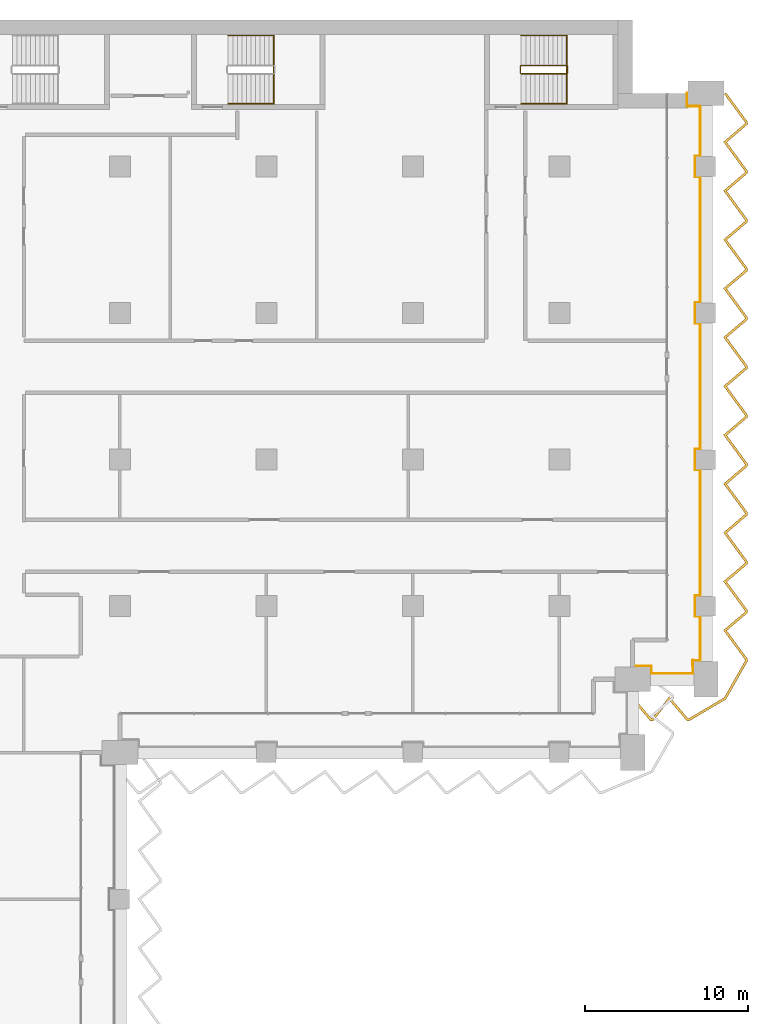
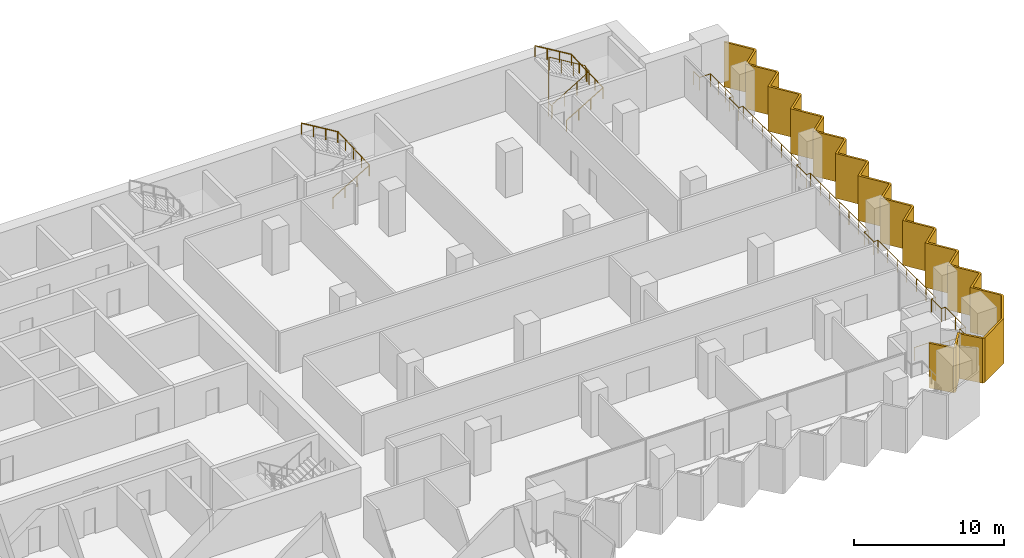
# One storey, part 23 of 23: 4 railings, 1 shading device.
"""IFC4 building model written with IfcOpenShell, lengths in metres."""

from ifc_helpers import new_model, si_unit, direction, frame, origin, origin_2d, place, context, subcontext, project, spatial, polyline, circle, outline, extrude, material, layer, layer_set, type_object, element, save


model = new_model("IFC4")

# Units and contexts
model_context = context("Model", 3, precision=1e-05, world=origin(), true_north=direction((0.0, 1.0)))
body_context = subcontext(model_context, "Body", "Model", "MODEL_VIEW")
ifc_project = project(units=[si_unit("LENGTHUNIT", "METRE"), si_unit("AREAUNIT", "SQUARE_METRE"), si_unit("VOLUMEUNIT", "CUBIC_METRE"), si_unit("PLANEANGLEUNIT", "RADIAN"), si_unit("MASSUNIT", "GRAM", prefix="KILO")], contexts=[model_context])

# Site, building, storey
site_placement = place(None, origin())
site = spatial("IfcSite", under=ifc_project, at=site_placement, CompositionType="ELEMENT")
building_placement = place(site_placement, origin())
building = spatial("IfcBuilding", under=site, at=building_placement, Name="Hunhe Ridgeline Campus", CompositionType="ELEMENT")
storey_placement = place(building_placement, frame((0.0, 0.0, 107.0)))
storey = spatial("IfcBuildingStorey", under=building, at=storey_placement, Name="L26", CompositionType="ELEMENT", Elevation=107.0)

# Railing
ifc_material_1 = material(Name="Steel Q355", Category="steel")
railing_type_1 = type_object("IfcRailingType", Name="Loggia guard 1100 Steel Q355", PredefinedType="GUARDRAIL", material=ifc_material_1)
railing_1_placement = place(storey_placement, frame((76.5, 59.320068359375, 0.0)))
element("IfcRailing", 1, at=railing_1_placement, inside=storey, type_object=railing_type_1, Name="Loggia guard 3", PredefinedType="GUARDRAIL", context=body_context, shape_type="SweptSolid", body=[
    extrude(circle(Radius=0.02392578125, at=origin_2d()), frame((0.0, 0.0, 1.076171875), z_axis=(1.0, 0.0, 0.0), x_axis=(0.0, 1.0, 0.0)), (0.0, 0.0, 1.0), 1.14990234375),
    extrude(circle(Radius=0.02392578125, at=origin_2d()), frame((1.14990234375, 0.0, 1.076171875), z_axis=(0.0, -1.0, 0.0), x_axis=(1.0, 0.0, 0.0)), (0.0, 0.0, 1.0), 0.469970703125),
    extrude(circle(Radius=0.02392578125, at=origin_2d()), frame((1.14990234375, -0.469970703125, 1.076171875), z_axis=(1.0, 0.0, 0.0), x_axis=(0.0, 1.0, 0.0)), (0.0, 0.0, 1.0), 2.550048828125),
    extrude(circle(Radius=0.02392578125, at=origin_2d()), frame((3.699951171875, -0.469970703125, 1.076171875), z_axis=(0.0, 1.0, 0.0), x_axis=(-1.0, 0.0, 0.0)), (0.0, 0.0, 1.0), 0.81982421875),
    extrude(circle(Radius=0.02392578125, at=origin_2d()), frame((3.699951171875, 0.349853515625, 1.076171875), z_axis=(-0.057129153726, -0.99836679622, 0.0), x_axis=(0.99836679622, -0.057129153726, 0.0)), (0.0, 0.0, 1.0), 0.350341796875),
    extrude(circle(Radius=0.02392578125, at=origin_2d()), frame((3.679931640625, 0.0, 1.076171875), z_axis=(0.0, 1.0, 0.0), x_axis=(-1.0, 0.0, 0.0)), (0.0, 0.0, 1.0), 0.329833984375),
    extrude(circle(Radius=0.02392578125, at=origin_2d()), frame((3.679931640625, 0.329833984375, 1.076171875), z_axis=(1.0, 0.0, 0.0), x_axis=(0.0, 1.0, 0.0)), (0.0, 0.0, 1.0), 0.469970703125),
    extrude(circle(Radius=0.02392578125, at=origin_2d()), frame((4.14990234375, 0.329833984375, 1.076171875), z_axis=(0.0, 1.0, 0.0), x_axis=(-1.0, 0.0, 0.0)), (0.0, 0.0, 1.0), 2.7001953125),
    extrude(circle(Radius=0.02392578125, at=origin_2d()), frame((4.14990234375, 3.030029296875, 1.076171875), z_axis=(-1.0, 0.0, 0.0), x_axis=(0.0, -1.0, 0.0)), (0.0, 0.0, 1.0), 0.31982421875),
    extrude(circle(Radius=0.02392578125, at=origin_2d()), frame((3.830078125, 3.030029296875, 1.076171875), z_axis=(0.0, 1.0, 0.0), x_axis=(-1.0, 0.0, 0.0)), (0.0, 0.0, 1.0), 1.2998046875),
    extrude(circle(Radius=0.02392578125, at=origin_2d()), frame((3.830078125, 4.329833984375, 1.076171875), z_axis=(1.0, 0.0, 0.0), x_axis=(0.0, 1.0, 0.0)), (0.0, 0.0, 1.0), 0.31982421875),
    extrude(circle(Radius=0.02392578125, at=origin_2d()), frame((4.14990234375, 4.329833984375, 1.076171875), z_axis=(0.0, 1.0, 0.0), x_axis=(-1.0, 0.0, 0.0)), (0.0, 0.0, 1.0), 7.7001953125),
    extrude(circle(Radius=0.02392578125, at=origin_2d()), frame((4.14990234375, 12.030029296875, 1.076171875), z_axis=(-1.0, 0.0, 0.0), x_axis=(0.0, -1.0, 0.0)), (0.0, 0.0, 1.0), 0.31982421875),
    extrude(circle(Radius=0.02392578125, at=origin_2d()), frame((3.830078125, 12.030029296875, 1.076171875), z_axis=(0.0, 1.0, 0.0), x_axis=(-1.0, 0.0, 0.0)), (0.0, 0.0, 1.0), 1.2998046875),
    extrude(circle(Radius=0.02392578125, at=origin_2d()), frame((3.830078125, 13.329833984375, 1.076171875), z_axis=(1.0, 0.0, 0.0), x_axis=(0.0, 1.0, 0.0)), (0.0, 0.0, 1.0), 0.31982421875),
    extrude(circle(Radius=0.02392578125, at=origin_2d()), frame((4.14990234375, 13.329833984375, 1.076171875), z_axis=(0.0, 1.0, 0.0), x_axis=(-1.0, 0.0, 0.0)), (0.0, 0.0, 1.0), 7.7001953125),
    extrude(circle(Radius=0.02392578125, at=origin_2d()), frame((4.14990234375, 21.030029296875, 1.076171875), z_axis=(-1.0, 0.0, 0.0), x_axis=(0.0, -1.0, 0.0)), (0.0, 0.0, 1.0), 0.31982421875),
    extrude(circle(Radius=0.02392578125, at=origin_2d()), frame((3.830078125, 21.030029296875, 1.076171875), z_axis=(0.0, 1.0, 0.0), x_axis=(-1.0, 0.0, 0.0)), (0.0, 0.0, 1.0), 1.2998046875),
    extrude(circle(Radius=0.02392578125, at=origin_2d()), frame((3.830078125, 22.329833984375, 1.076171875), z_axis=(1.0, 0.0, 0.0), x_axis=(0.0, 1.0, 0.0)), (0.0, 0.0, 1.0), 0.31982421875),
    extrude(circle(Radius=0.02392578125, at=origin_2d()), frame((4.14990234375, 22.329833984375, 1.076171875), z_axis=(0.0, 1.0, 0.0), x_axis=(-1.0, 0.0, 0.0)), (0.0, 0.0, 1.0), 7.7001953125),
    extrude(circle(Radius=0.02392578125, at=origin_2d()), frame((4.14990234375, 30.030029296875, 1.076171875), z_axis=(-1.0, 0.0, 0.0), x_axis=(0.0, -1.0, 0.0)), (0.0, 0.0, 1.0), 0.31982421875),
    extrude(circle(Radius=0.02392578125, at=origin_2d()), frame((3.830078125, 30.030029296875, 1.076171875), z_axis=(0.0, 1.0, 0.0), x_axis=(-1.0, 0.0, 0.0)), (0.0, 0.0, 1.0), 1.2998046875),
    extrude(circle(Radius=0.02392578125, at=origin_2d()), frame((3.830078125, 31.329833984375, 1.076171875), z_axis=(1.0, 0.0, 0.0), x_axis=(0.0, 1.0, 0.0)), (0.0, 0.0, 1.0), 0.31982421875),
    extrude(circle(Radius=0.02392578125, at=origin_2d()), frame((4.14990234375, 31.329833984375, 1.076171875), z_axis=(0.0, 1.0, 0.0), x_axis=(-1.0, 0.0, 0.0)), (0.0, 0.0, 1.0), 3.050048828125),
    extrude(circle(Radius=0.02392578125, at=origin_2d()), frame((4.14990234375, 34.3798828125, 1.076171875), z_axis=(-1.0, 0.0, 0.0), x_axis=(0.0, -1.0, 0.0)), (0.0, 0.0, 1.0), 0.81982421875),
    extrude(circle(Radius=0.02392578125, at=origin_2d()), frame((3.330078125, 34.3798828125, 1.076171875), z_axis=(0.0, 1.0, 0.0), x_axis=(-1.0, 0.0, 0.0)), (0.0, 0.0, 1.0), 0.800048828125),
    extrude(circle(Radius=0.02099609375, at=origin_2d()), origin(), (0.0, 0.0, 1.0), 1.052001953125),
    extrude(circle(Radius=0.02099609375, at=origin_2d()), frame((1.14990234375, 0.0, 0.0)), (0.0, 0.0, 1.0), 1.052001953125),
    extrude(circle(Radius=0.02099609375, at=origin_2d()), frame((1.14990234375, -0.469970703125, 0.0)), (0.0, 0.0, 1.0), 1.052001953125),
    extrude(circle(Radius=0.02099609375, at=origin_2d()), frame((2.4248046875, -0.469970703125, 0.0)), (0.0, 0.0, 1.0), 1.052001953125),
    extrude(circle(Radius=0.02099609375, at=origin_2d()), frame((3.699951171875, -0.469970703125, 0.0)), (0.0, 0.0, 1.0), 1.052001953125),
    extrude(circle(Radius=0.02099609375, at=origin_2d()), frame((3.699951171875, 0.349853515625, 0.0)), (0.0, 0.0, 1.0), 1.052001953125),
    extrude(circle(Radius=0.02099609375, at=origin_2d()), frame((3.679931640625, 0.0, 0.0)), (0.0, 0.0, 1.0), 1.052001953125),
    extrude(circle(Radius=0.02099609375, at=origin_2d()), frame((3.679931640625, 0.329833984375, 0.0)), (0.0, 0.0, 1.0), 1.052001953125),
    extrude(circle(Radius=0.02099609375, at=origin_2d()), frame((4.14990234375, 0.329833984375, 0.0)), (0.0, 0.0, 1.0), 1.052001953125),
    extrude(circle(Radius=0.02099609375, at=origin_2d()), frame((4.14990234375, 1.679931640625, 0.0)), (0.0, 0.0, 1.0), 1.052001953125),
    extrude(circle(Radius=0.02099609375, at=origin_2d()), frame((4.14990234375, 3.030029296875, 0.0)), (0.0, 0.0, 1.0), 1.052001953125),
    extrude(circle(Radius=0.02099609375, at=origin_2d()), frame((3.830078125, 3.030029296875, 0.0)), (0.0, 0.0, 1.0), 1.052001953125),
    extrude(circle(Radius=0.02099609375, at=origin_2d()), frame((3.830078125, 4.329833984375, 0.0)), (0.0, 0.0, 1.0), 1.052001953125),
    extrude(circle(Radius=0.02099609375, at=origin_2d()), frame((4.14990234375, 4.329833984375, 0.0)), (0.0, 0.0, 1.0), 1.052001953125),
    extrude(circle(Radius=0.02099609375, at=origin_2d()), frame((4.14990234375, 5.61328125, 0.0)), (0.0, 0.0, 1.0), 1.052001953125),
    extrude(circle(Radius=0.02099609375, at=origin_2d()), frame((4.14990234375, 6.896484375, 0.0)), (0.0, 0.0, 1.0), 1.052001953125),
    extrude(circle(Radius=0.02099609375, at=origin_2d()), frame((4.14990234375, 8.179931640625, 0.0)), (0.0, 0.0, 1.0), 1.052001953125),
    extrude(circle(Radius=0.02099609375, at=origin_2d()), frame((4.14990234375, 9.46337890625, 0.0)), (0.0, 0.0, 1.0), 1.052001953125),
    extrude(circle(Radius=0.02099609375, at=origin_2d()), frame((4.14990234375, 10.74658203125, 0.0)), (0.0, 0.0, 1.0), 1.052001953125),
    extrude(circle(Radius=0.02099609375, at=origin_2d()), frame((4.14990234375, 12.030029296875, 0.0)), (0.0, 0.0, 1.0), 1.052001953125),
    extrude(circle(Radius=0.02099609375, at=origin_2d()), frame((3.830078125, 12.030029296875, 0.0)), (0.0, 0.0, 1.0), 1.052001953125),
    extrude(circle(Radius=0.02099609375, at=origin_2d()), frame((3.830078125, 13.329833984375, 0.0)), (0.0, 0.0, 1.0), 1.052001953125),
    extrude(circle(Radius=0.02099609375, at=origin_2d()), frame((4.14990234375, 13.329833984375, 0.0)), (0.0, 0.0, 1.0), 1.052001953125),
    extrude(circle(Radius=0.02099609375, at=origin_2d()), frame((4.14990234375, 14.61328125, 0.0)), (0.0, 0.0, 1.0), 1.052001953125),
    extrude(circle(Radius=0.02099609375, at=origin_2d()), frame((4.14990234375, 15.896484375, 0.0)), (0.0, 0.0, 1.0), 1.052001953125),
    extrude(circle(Radius=0.02099609375, at=origin_2d()), frame((4.14990234375, 17.179931640625, 0.0)), (0.0, 0.0, 1.0), 1.052001953125),
    extrude(circle(Radius=0.02099609375, at=origin_2d()), frame((4.14990234375, 18.46337890625, 0.0)), (0.0, 0.0, 1.0), 1.052001953125),
    extrude(circle(Radius=0.02099609375, at=origin_2d()), frame((4.14990234375, 19.74658203125, 0.0)), (0.0, 0.0, 1.0), 1.052001953125),
    extrude(circle(Radius=0.02099609375, at=origin_2d()), frame((4.14990234375, 21.030029296875, 0.0)), (0.0, 0.0, 1.0), 1.052001953125),
    extrude(circle(Radius=0.02099609375, at=origin_2d()), frame((3.830078125, 21.030029296875, 0.0)), (0.0, 0.0, 1.0), 1.052001953125),
    extrude(circle(Radius=0.02099609375, at=origin_2d()), frame((3.830078125, 22.329833984375, 0.0)), (0.0, 0.0, 1.0), 1.052001953125),
    extrude(circle(Radius=0.02099609375, at=origin_2d()), frame((4.14990234375, 22.329833984375, 0.0)), (0.0, 0.0, 1.0), 1.052001953125),
    extrude(circle(Radius=0.02099609375, at=origin_2d()), frame((4.14990234375, 23.61328125, 0.0)), (0.0, 0.0, 1.0), 1.052001953125),
    extrude(circle(Radius=0.02099609375, at=origin_2d()), frame((4.14990234375, 24.896484375, 0.0)), (0.0, 0.0, 1.0), 1.052001953125),
    extrude(circle(Radius=0.02099609375, at=origin_2d()), frame((4.14990234375, 26.179931640625, 0.0)), (0.0, 0.0, 1.0), 1.052001953125),
    extrude(circle(Radius=0.02099609375, at=origin_2d()), frame((4.14990234375, 27.46337890625, 0.0)), (0.0, 0.0, 1.0), 1.052001953125),
    extrude(circle(Radius=0.02099609375, at=origin_2d()), frame((4.14990234375, 28.74658203125, 0.0)), (0.0, 0.0, 1.0), 1.052001953125),
    extrude(circle(Radius=0.02099609375, at=origin_2d()), frame((4.14990234375, 30.030029296875, 0.0)), (0.0, 0.0, 1.0), 1.052001953125),
    extrude(circle(Radius=0.02099609375, at=origin_2d()), frame((3.830078125, 30.030029296875, 0.0)), (0.0, 0.0, 1.0), 1.052001953125),
    extrude(circle(Radius=0.02099609375, at=origin_2d()), frame((3.830078125, 31.329833984375, 0.0)), (0.0, 0.0, 1.0), 1.052001953125),
    extrude(circle(Radius=0.02099609375, at=origin_2d()), frame((4.14990234375, 31.329833984375, 0.0)), (0.0, 0.0, 1.0), 1.052001953125),
    extrude(circle(Radius=0.02099609375, at=origin_2d()), frame((4.14990234375, 32.346435546875, 0.0)), (0.0, 0.0, 1.0), 1.052001953125),
    extrude(circle(Radius=0.02099609375, at=origin_2d()), frame((4.14990234375, 33.36328125, 0.0)), (0.0, 0.0, 1.0), 1.052001953125),
    extrude(circle(Radius=0.02099609375, at=origin_2d()), frame((4.14990234375, 34.3798828125, 0.0)), (0.0, 0.0, 1.0), 1.052001953125),
    extrude(circle(Radius=0.02099609375, at=origin_2d()), frame((3.330078125, 34.3798828125, 0.0)), (0.0, 0.0, 1.0), 1.052001953125),
    extrude(circle(Radius=0.02099609375, at=origin_2d()), frame((3.330078125, 35.179931640625, 0.0)), (0.0, 0.0, 1.0), 1.052001953125),
])

# Shading device
ifc_material_2 = material(Name="Concrete C50", Category="concrete")
ifc_layer = layer(ifc_material_2, 0.14990234375)
ifc_layer_set = layer_set([ifc_layer], Name="Sawtooth concrete fin 150 Concrete C50")
shading_device_type = type_object("IfcShadingDeviceType", Name="Sawtooth concrete fin 150 Concrete C50", PredefinedType="USERDEFINED", material=ifc_layer_set)
shading_device_placement = place(storey_placement, frame((0.0, 0.0, -0.949951171875)))
element("IfcShadingDevice", 2, at=shading_device_placement, inside=storey, type_object=shading_device_type, Name="Concrete fin screen 3", ObjectType="FIN", PredefinedType="USERDEFINED", context=body_context, shape_type="SweptSolid", body=[
    extrude(outline(polyline([(76.55712890625, 57.373779296875), (76.44287109375, 57.2763671875), (77.57470703125, 55.949951171875), (77.765869140625, 55.949951171875), (78.75244140625, 57.20654296875), (79.82470703125, 55.949951171875), (79.999755859375, 55.949951171875), (82.230224609375, 57.2705078125), (83.550048828125, 59.589599609375), (83.550048828125, 59.75390625), (82.276611328125, 61.48828125), (83.550048828125, 62.57470703125), (83.550048828125, 62.75390625), (82.276611328125, 64.48828125), (83.550048828125, 65.57470703125), (83.550048828125, 65.75390625), (82.276611328125, 67.48828125), (83.550048828125, 68.57470703125), (83.550048828125, 68.75390625), (82.276611328125, 70.48828125), (83.550048828125, 71.57470703125), (83.550048828125, 71.75390625), (82.276611328125, 73.48828125), (83.550048828125, 74.57470703125), (83.550048828125, 74.75390625), (82.276611328125, 76.48828125), (83.550048828125, 77.57470703125), (83.550048828125, 77.75390625), (82.276611328125, 79.48828125), (83.550048828125, 80.57470703125), (83.550048828125, 80.75390625), (82.276611328125, 82.48828125), (83.550048828125, 83.57470703125), (83.550048828125, 83.75390625), (82.276611328125, 85.48828125), (83.550048828125, 86.57470703125), (83.550048828125, 86.75390625), (82.276611328125, 88.48828125), (83.550048828125, 89.57470703125), (83.550048828125, 89.75390625), (82.276611328125, 91.48828125), (83.550048828125, 92.57470703125), (83.550048828125, 92.75390625), (82.2353515625, 94.54443359375), (82.114501953125, 94.45556640625), (83.39990234375, 92.704833984375), (83.39990234375, 92.643798828125), (82.0732421875, 91.51171875), (83.39990234375, 89.704833984375), (83.39990234375, 89.643798828125), (82.0732421875, 88.51171875), (83.39990234375, 86.704833984375), (83.39990234375, 86.643798828125), (82.0732421875, 85.51171875), (83.39990234375, 83.704833984375), (83.39990234375, 83.643798828125), (82.0732421875, 82.51171875), (83.39990234375, 80.704833984375), (83.39990234375, 80.643798828125), (82.0732421875, 79.51171875), (83.39990234375, 77.704833984375), (83.39990234375, 77.643798828125), (82.0732421875, 76.51171875), (83.39990234375, 74.704833984375), (83.39990234375, 74.643798828125), (82.0732421875, 73.51171875), (83.39990234375, 71.704833984375), (83.39990234375, 71.643798828125), (82.0732421875, 70.51171875), (83.39990234375, 68.704833984375), (83.39990234375, 68.643798828125), (82.0732421875, 67.51171875), (83.39990234375, 65.704833984375), (83.39990234375, 65.643798828125), (82.0732421875, 64.51171875), (83.39990234375, 62.704833984375), (83.39990234375, 62.643798828125), (82.0732421875, 61.51171875), (83.39990234375, 59.704833984375), (83.39990234375, 59.629150390625), (82.11962890625, 57.37939453125), (79.958740234375, 56.10009765625), (79.893798828125, 56.10009765625), (78.74755859375, 57.443359375), (77.69287109375, 56.10009765625), (77.643798828125, 56.10009765625), (76.55712890625, 57.373779296875)])), origin(), (0.0, 0.0, 1.0), 3.64990234375),
])

# Railings
ifc_material_3 = material(Name="Stainless steel balustrade", Category="steel")
railing_type_2 = type_object("IfcRailingType", Name="Stair guard 1100 stainless", PredefinedType="GUARDRAIL", material=ifc_material_3)
railing_2_placement = place(storey_placement, frame((69.64990234375, 95.699951171875, 0.168212890625)))
element("IfcRailing", 3, at=railing_2_placement, inside=storey, type_object=railing_type_2, Name="L26 stair E3 guard", PredefinedType="GUARDRAIL", context=body_context, shape_type="SweptSolid", body=[
    extrude(circle(Radius=0.02392578125, at=origin_2d()), frame((0.0, 0.0, 1.076171875), z_axis=(0.857242210791, 0.0, 0.514913383045), x_axis=(0.0, 1.0, 0.0)), (0.0, 0.0, 1.0), 3.266357421875),
    extrude(circle(Radius=0.02392578125, at=origin_2d()), frame((2.800048828125, 0.0, 2.7578125), z_axis=(0.707106781187, 0.707106781187, 0.0), x_axis=(-0.707106781187, 0.707106781187, 0.0)), (0.0, 0.0, 1.0), 0.07080078125),
    extrude(circle(Radius=0.02392578125, at=origin_2d()), frame((2.85009765625, 0.050048828125, 2.7578125), z_axis=(0.0, 1.0, 0.0), x_axis=(-1.0, 0.0, 0.0)), (0.0, 0.0, 1.0), 0.39990234375),
    extrude(circle(Radius=0.02392578125, at=origin_2d()), frame((2.85009765625, 0.449951171875, 2.7578125), z_axis=(-0.274582412415, 0.274582412415, 0.921525364591), x_axis=(-0.707106781187, -0.707106781187, 0.0)), (0.0, 0.0, 1.0), 0.182373046875),
    extrude(circle(Radius=0.02392578125, at=origin_2d()), frame((2.800048828125, 0.5, 2.92578125), z_axis=(-0.857242210791, 0.0, 0.514913383045), x_axis=(0.0, -1.0, 0.0)), (0.0, 0.0, 1.0), 3.266357421875),
    extrude(circle(Radius=0.02392578125, at=origin_2d()), frame((0.0, 0.5, 4.60791015625), z_axis=(-0.013458453615, -0.013524426427, -0.999817963389), x_axis=(0.708833529934, -0.705375805398, 0.0)), (0.0, 0.0, 1.0), 3.70068359375),
    extrude(circle(Radius=0.02392578125, at=origin_2d()), frame((-0.0498046875, 0.449951171875, 0.90771484375), z_axis=(0.0, -1.0, 0.0), x_axis=(1.0, 0.0, 0.0)), (0.0, 0.0, 1.0), 0.39990234375),
    extrude(circle(Radius=0.02099609375, at=origin_2d()), origin(), (0.0, 0.0, 1.0), 1.052001953125),
    extrude(circle(Radius=0.02099609375, at=origin_2d()), frame((0.933349609375, 0.0, 0.560546875)), (0.0, 0.0, 1.0), 1.052001953125),
    extrude(circle(Radius=0.02099609375, at=origin_2d()), frame((1.86669921875, 0.0, 1.121337890625)), (0.0, 0.0, 1.0), 1.052001953125),
    extrude(circle(Radius=0.02099609375, at=origin_2d()), frame((2.800048828125, 0.0, 1.681884765625)), (0.0, 0.0, 1.0), 1.052001953125),
    extrude(circle(Radius=0.02099609375, at=origin_2d()), frame((2.85009765625, 0.050048828125, 1.681884765625)), (0.0, 0.0, 1.0), 1.052001953125),
    extrude(circle(Radius=0.02099609375, at=origin_2d()), frame((2.85009765625, 0.449951171875, 1.681884765625)), (0.0, 0.0, 1.0), 1.052001953125),
    extrude(circle(Radius=0.02099609375, at=origin_2d()), frame((2.800048828125, 0.5, 1.849853515625)), (0.0, 0.0, 1.0), 1.052001953125),
    extrude(circle(Radius=0.02099609375, at=origin_2d()), frame((1.86669921875, 0.5, 2.410400390625)), (0.0, 0.0, 1.0), 1.052001953125),
    extrude(circle(Radius=0.02099609375, at=origin_2d()), frame((0.933349609375, 0.5, 2.97119140625)), (0.0, 0.0, 1.0), 1.052001953125),
    extrude(circle(Radius=0.02099609375, at=origin_2d()), frame((0.0, 0.5, 3.53173828125)), (0.0, 0.0, 1.0), 1.052001953125),
    extrude(circle(Radius=0.02099609375, at=origin_2d()), frame((-0.012451171875, 0.487548828125, 2.606689453125)), (0.0, 0.0, 1.0), 1.052001953125),
    extrude(circle(Radius=0.02099609375, at=origin_2d()), frame((-0.02490234375, 0.47509765625, 1.681640625)), (0.0, 0.0, 1.0), 1.052001953125),
    extrude(circle(Radius=0.02099609375, at=origin_2d()), frame((-0.037353515625, 0.46240234375, 0.7568359375)), (0.0, 0.0, 1.0), 1.052001953125),
    extrude(circle(Radius=0.02099609375, at=origin_2d()), frame((-0.0498046875, 0.449951171875, -0.168212890625)), (0.0, 0.0, 1.0), 1.052001953125),
    extrude(circle(Radius=0.02099609375, at=origin_2d()), frame((-0.0498046875, 0.050048828125, -0.168212890625)), (0.0, 0.0, 1.0), 1.052001953125),
])
ifc_material_4 = material(Name="Stainless steel handrail", Category="steel")
railing_type_3 = type_object("IfcRailingType", Name="Stair handrail 900 stainless", PredefinedType="HANDRAIL", material=ifc_material_4)
railing_3_placement = place(storey_placement, frame((51.64990234375, 93.85009765625, 0.168212890625)))
element("IfcRailing", 4, at=railing_3_placement, inside=storey, type_object=railing_type_3, Name="L26 stair E2 handrail", PredefinedType="HANDRAIL", context=body_context, shape_type="SweptSolid", body=[
    extrude(circle(Radius=0.02392578125, at=origin_2d()), frame((0.0, 0.0, 0.8759765625), z_axis=(0.857242210791, 0.0, 0.514913383045), x_axis=(0.0, 1.0, 0.0)), (0.0, 0.0, 1.0), 3.266357421875),
    extrude(circle(Radius=0.02392578125, at=origin_2d()), frame((2.800048828125, 0.0, 2.5576171875), z_axis=(0.0, 0.99920123705, 0.039961079526), x_axis=(-1.0, 0.0, 0.0)), (0.0, 0.0, 1.0), 4.203369140625),
    extrude(circle(Radius=0.02392578125, at=origin_2d()), frame((2.800048828125, 4.199951171875, 2.7255859375), z_axis=(-0.857242210791, 0.0, 0.514913383045), x_axis=(0.0, -1.0, 0.0)), (0.0, 0.0, 1.0), 3.266357421875),
    extrude(circle(Radius=0.02099609375, at=origin_2d()), origin(), (0.0, 0.0, 1.0), 0.851806640625),
    extrude(circle(Radius=0.02099609375, at=origin_2d()), frame((0.933349609375, 0.0, 0.560546875)), (0.0, 0.0, 1.0), 0.851806640625),
    extrude(circle(Radius=0.02099609375, at=origin_2d()), frame((1.86669921875, 0.0, 1.121337890625)), (0.0, 0.0, 1.0), 0.851806640625),
    extrude(circle(Radius=0.02099609375, at=origin_2d()), frame((2.800048828125, 0.0, 1.681884765625)), (0.0, 0.0, 1.0), 0.851806640625),
    extrude(circle(Radius=0.02099609375, at=origin_2d()), frame((2.800048828125, 1.050048828125, 1.723876953125)), (0.0, 0.0, 1.0), 0.851806640625),
    extrude(circle(Radius=0.02099609375, at=origin_2d()), frame((2.800048828125, 2.10009765625, 1.765869140625)), (0.0, 0.0, 1.0), 0.851806640625),
    extrude(circle(Radius=0.02099609375, at=origin_2d()), frame((2.800048828125, 3.14990234375, 1.807861328125)), (0.0, 0.0, 1.0), 0.851806640625),
    extrude(circle(Radius=0.02099609375, at=origin_2d()), frame((2.800048828125, 4.199951171875, 1.849853515625)), (0.0, 0.0, 1.0), 0.851806640625),
    extrude(circle(Radius=0.02099609375, at=origin_2d()), frame((1.86669921875, 4.199951171875, 2.410400390625)), (0.0, 0.0, 1.0), 0.851806640625),
    extrude(circle(Radius=0.02099609375, at=origin_2d()), frame((0.933349609375, 4.199951171875, 2.97119140625)), (0.0, 0.0, 1.0), 0.851806640625),
    extrude(circle(Radius=0.02099609375, at=origin_2d()), frame((0.0, 4.199951171875, 3.53173828125)), (0.0, 0.0, 1.0), 0.851806640625),
])
railing_4_placement = place(storey_placement, frame((69.64990234375, 93.85009765625, 0.168212890625)))
element("IfcRailing", 5, at=railing_4_placement, inside=storey, type_object=railing_type_3, Name="L26 stair E3 handrail", PredefinedType="HANDRAIL", context=body_context, shape_type="SweptSolid", body=[
    extrude(circle(Radius=0.02392578125, at=origin_2d()), frame((0.0, 0.0, 0.8759765625), z_axis=(0.857242210791, 0.0, 0.514913383045), x_axis=(0.0, 1.0, 0.0)), (0.0, 0.0, 1.0), 3.266357421875),
    extrude(circle(Radius=0.02392578125, at=origin_2d()), frame((2.800048828125, 0.0, 2.5576171875), z_axis=(0.0, 0.99920123705, 0.039961079526), x_axis=(-1.0, 0.0, 0.0)), (0.0, 0.0, 1.0), 4.203369140625),
    extrude(circle(Radius=0.02392578125, at=origin_2d()), frame((2.800048828125, 4.199951171875, 2.7255859375), z_axis=(-0.857242210791, 0.0, 0.514913383045), x_axis=(0.0, -1.0, 0.0)), (0.0, 0.0, 1.0), 3.266357421875),
    extrude(circle(Radius=0.02099609375, at=origin_2d()), origin(), (0.0, 0.0, 1.0), 0.851806640625),
    extrude(circle(Radius=0.02099609375, at=origin_2d()), frame((0.933349609375, 0.0, 0.560546875)), (0.0, 0.0, 1.0), 0.851806640625),
    extrude(circle(Radius=0.02099609375, at=origin_2d()), frame((1.86669921875, 0.0, 1.121337890625)), (0.0, 0.0, 1.0), 0.851806640625),
    extrude(circle(Radius=0.02099609375, at=origin_2d()), frame((2.800048828125, 0.0, 1.681884765625)), (0.0, 0.0, 1.0), 0.851806640625),
    extrude(circle(Radius=0.02099609375, at=origin_2d()), frame((2.800048828125, 1.050048828125, 1.723876953125)), (0.0, 0.0, 1.0), 0.851806640625),
    extrude(circle(Radius=0.02099609375, at=origin_2d()), frame((2.800048828125, 2.10009765625, 1.765869140625)), (0.0, 0.0, 1.0), 0.851806640625),
    extrude(circle(Radius=0.02099609375, at=origin_2d()), frame((2.800048828125, 3.14990234375, 1.807861328125)), (0.0, 0.0, 1.0), 0.851806640625),
    extrude(circle(Radius=0.02099609375, at=origin_2d()), frame((2.800048828125, 4.199951171875, 1.849853515625)), (0.0, 0.0, 1.0), 0.851806640625),
    extrude(circle(Radius=0.02099609375, at=origin_2d()), frame((1.86669921875, 4.199951171875, 2.410400390625)), (0.0, 0.0, 1.0), 0.851806640625),
    extrude(circle(Radius=0.02099609375, at=origin_2d()), frame((0.933349609375, 4.199951171875, 2.97119140625)), (0.0, 0.0, 1.0), 0.851806640625),
    extrude(circle(Radius=0.02099609375, at=origin_2d()), frame((0.0, 4.199951171875, 3.53173828125)), (0.0, 0.0, 1.0), 0.851806640625),
])

save(model, "model.ifc")
